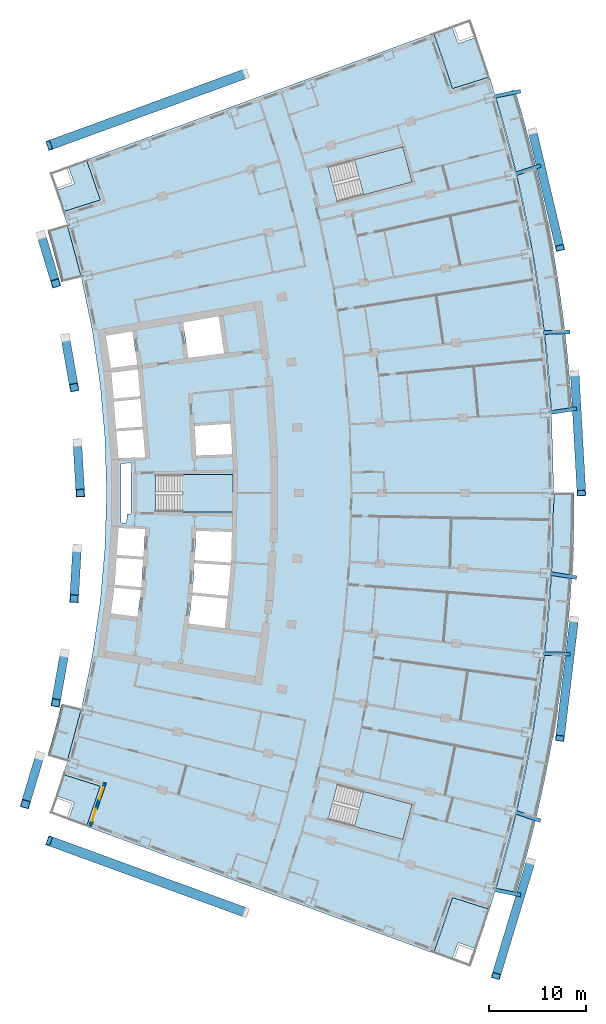
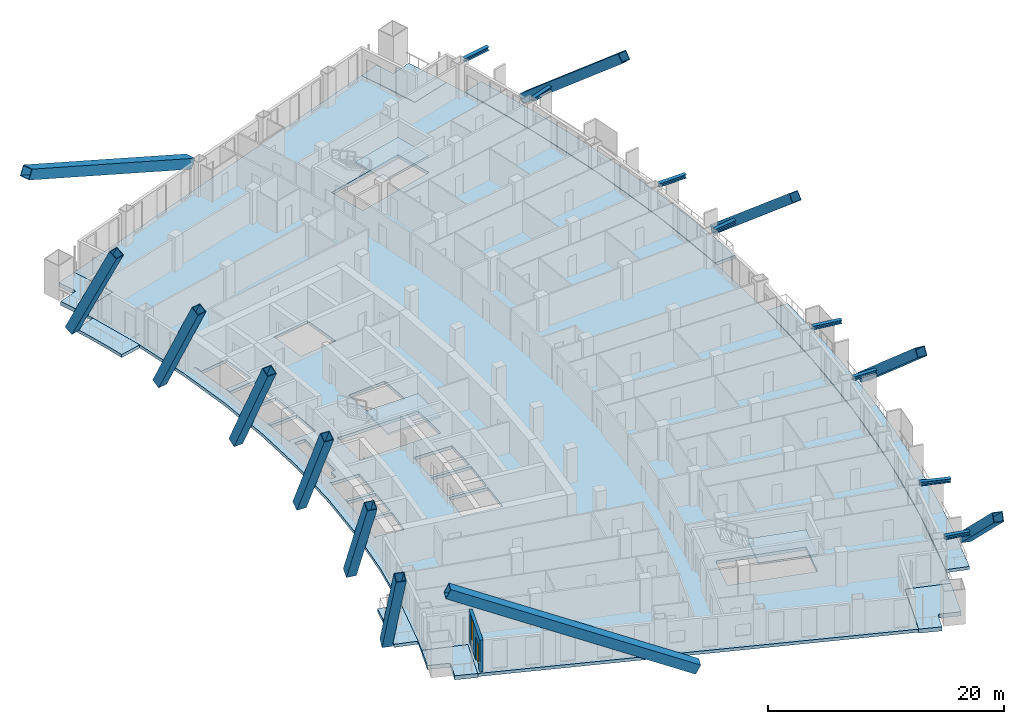
# One storey, part 12 of 25: 20 members, 12 slabs, 1 door, 1 wall, 1 window, 2 openings, 3 elements without a shape of their own.
"""IFC4 building model written with IfcOpenShell, lengths in metres."""

from ifc_helpers import new_model, si_unit, direction, frame, frame_2d, origin, origin_2d, place, context, subcontext, project, spatial, polyline, rectangle, hollow_rectangle, i_section, outline, extrude, material, layer, layer_set, material_profile, profile_set, type_object, element, fill, aggregate, save


model = new_model("IFC4")

# Units and contexts
model_context = context("Model", 3, precision=1e-05, world=origin(), true_north=direction((0.0, 1.0)))
body_context = subcontext(model_context, "Body", "Model", "MODEL_VIEW")
ifc_project = project(units=[si_unit("LENGTHUNIT", "METRE"), si_unit("AREAUNIT", "SQUARE_METRE"), si_unit("VOLUMEUNIT", "CUBIC_METRE"), si_unit("PLANEANGLEUNIT", "RADIAN"), si_unit("MASSUNIT", "GRAM", prefix="KILO")], contexts=[model_context])

# Site, building, storey
site_placement = place(None, origin())
site = spatial("IfcSite", under=ifc_project, at=site_placement, CompositionType="ELEMENT")
building_placement = place(site_placement, origin())
building = spatial("IfcBuilding", under=site, at=building_placement, Name="Alderwake Tower", CompositionType="ELEMENT")
storey_placement = place(building_placement, frame((0.0, 0.0, 93.199951171875)))
storey = spatial("IfcBuildingStorey", under=building, at=storey_placement, Name="L22", CompositionType="ELEMENT", Elevation=93.199951171875)

# Members
ifc_material_1 = material(Name="Steel ASTM A992 Grade 50", Category="steel")
ifc_material_profile_1 = material_profile(ifc_material_1, i_section(OverallWidth=0.3740234375, OverallDepth=0.372314453125, WebThickness=0.016357421875, FlangeThickness=0.026123046875, at=origin_2d()), Name="W14X132")
ifc_profile_set_1 = profile_set([ifc_material_profile_1], Name="Steel ASTM A992 Grade 50")
member_type_1 = type_object("IfcMemberType", Name="Brace node stub W14X132", PredefinedType="MEMBER", material=ifc_profile_set_1)
for number, where, z_axis, x_axis, name in (
    (1, (58.078125, 28.180419921875, 3.393798828125), (0.946087541114, -0.32391104419, 0.0), (0.32391104419, 0.946087541114, 0.0), "Brace node stub BS.FR03-C5.968"),
    (2, (55.931884765625, 20.193115234375, 3.393798828125), (0.981008968505, -0.193962377057, 0.0), (0.193962377057, 0.981008968505, 0.0), "Brace node stub BS.FR02-C5.968"),
    (3, (61.683349609375, 52.72216796875, 3.393798828125), (0.988049020095, -0.154139981475, 0.0), (0.154139981475, 0.988049020095, 0.0), "Brace node stub BS.FR06-C5.968"),
    (4, (60.960693359375, 44.483154296875, 3.393798828125), (0.999797233843, -0.020136812062, 0.0), (0.020136812062, 0.999797233843, 0.0), "Brace node stub BS.FR05-C5.968"),
    (5, (60.960693359375, 77.516845703125, 3.393798828125), (0.999797233843, 0.020136812062, 0.0), (-0.020136812062, 0.999797233843, 0.0), "Brace node stub BS.FR09-C5.968"),
    (6, (61.683349609375, 69.27783203125, 3.393798828125), (0.988049020095, 0.154139981475, 0.0), (-0.154139981475, 0.988049020095, 0.0), "Brace node stub BS.FR08-C5.968"),
    (7, (55.931884765625, 101.806884765625, 3.393798828125), (0.981008968505, 0.193962377057, 0.0), (-0.193962377057, 0.981008968505, 0.0), "Brace node stub BS.FR12-C5.968"),
    (8, (58.078125, 93.819580078125, 3.393798828125), (0.946087541114, 0.32391104419, 0.0), (-0.32391104419, 0.946087541114, 0.0), "Brace node stub BS.FR11-C5.968"),
):
    element("IfcMember", number, at=place(storey_placement, frame(where, z_axis=z_axis, x_axis=x_axis)), inside=storey, type_object=member_type_1, Name=name, PredefinedType="MEMBER", context=body_context, shape_type="SweptSolid", body=[
        extrude(i_section(OverallWidth=0.3740234375, OverallDepth=0.372314453125, WebThickness=0.016357421875, FlangeThickness=0.026123046875, at=origin_2d()), origin(), (0.0, 0.0, 1.0), 2.70361328125),
    ])
ifc_material_2 = material(Name="Steel ASTM A572 Grade 50", Category="steel")
ifc_material_profile_2 = material_profile(ifc_material_2, hollow_rectangle(XDim=1.0, YDim=1.0, WallThickness=0.06005859375, at=origin_2d()), Name="BOX 1000X1000X60")
ifc_profile_set_2 = profile_set([ifc_material_profile_2], Name="Steel ASTM A572 Grade 50")
member_type_2 = type_object("IfcMemberType", Name="Mega brace end Z2", PredefinedType="BRACE", material=ifc_profile_set_2)
for number, where, z_axis, x_axis, name in (
    (9, (30.3203125, 17.855712890625, 0.375), (-0.845444037931, 0.308606213085, 0.435874504844), (-0.342892952661, -0.939374484971, 0.0), "Brace BRS2.1.0B2"),
    (10, (30.3203125, 104.144287109375, 0.375), (-0.845444037931, -0.308606213085, 0.435874504844), (0.342892952661, -0.939374484971, 0.0), "Brace BRN2.1.0B2"),
):
    element("IfcMember", number, at=place(storey_placement, frame(where, z_axis=z_axis, x_axis=x_axis)), inside=storey, type_object=member_type_2, Name=name, PredefinedType="BRACE", context=body_context, shape_type="SweptSolid", body=[
        extrude(hollow_rectangle(XDim=1.0, YDim=1.0, WallThickness=0.06005859375, at=origin_2d()), origin(), (0.0, 0.0, 1.0), 23.91748046875),
    ])
ifc_material_3 = material(Name="Steel ASTM A572 Grade 50", Category="steel")
ifc_material_profile_3 = material_profile(ifc_material_3, hollow_rectangle(XDim=0.89990234375, YDim=0.89990234375, WallThickness=0.054931640625, at=origin_2d()), Name="BOX 900X900X55")
ifc_profile_set_3 = profile_set([ifc_material_profile_3], Name="Steel ASTM A572 Grade 50")
member_type_3 = type_object("IfcMemberType", Name="Mega brace face Z2", PredefinedType="BRACE", material=ifc_profile_set_3)
member_1_placement = place(storey_placement, frame((59.629150390625, 23.119873046875, 0.3271484375), z_axis=(-0.220739775844, -0.729078590509, 0.647856743595), x_axis=(0.957094742324, -0.289775178743, 0.0)))
element("IfcMember", 11, at=member_1_placement, inside=storey, type_object=member_type_3, Name="Brace BRF2.1.1B2", PredefinedType="BRACE", context=body_context, shape_type="SweptSolid", body=[
    extrude(hollow_rectangle(XDim=0.89990234375, YDim=0.89990234375, WallThickness=0.054931640625, at=origin_2d()), origin(), (0.0, 0.0, 1.0), 16.16552734375),
])
member_2_placement = place(storey_placement, frame((64.091796875, 48.0087890625, 0.3271484375), z_axis=(-0.090434854927, -0.756372479035, 0.647859714732), x_axis=(0.992927969225, -0.118718355491, 0.0)))
element("IfcMember", 12, at=member_2_placement, inside=storey, type_object=member_type_3, Name="Brace BRF2.1.4B2", PredefinedType="BRACE", context=body_context, shape_type="SweptSolid", body=[
    extrude(hollow_rectangle(XDim=0.89990234375, YDim=0.89990234375, WallThickness=0.054931640625, at=origin_2d()), origin(), (0.0, 0.0, 1.0), 16.165283203125),
])
member_3_placement = place(storey_placement, frame((64.15283203125, 73.294921875, 0.3271484375), z_axis=(0.042634693642, -0.760567896504, 0.647857050364), x_axis=(0.998432533492, 0.055968527443, 0.0)))
element("IfcMember", 13, at=member_3_placement, inside=storey, type_object=member_type_3, Name="Brace BRF2.1.7B2", PredefinedType="BRACE", context=body_context, shape_type="SweptSolid", body=[
    extrude(hollow_rectangle(XDim=0.89990234375, YDim=0.89990234375, WallThickness=0.054931640625, at=origin_2d()), origin(), (0.0, 0.0, 1.0), 16.16552734375),
])
member_4_placement = place(storey_placement, frame((59.810546875, 98.205322265625, 0.3271484375), z_axis=(0.174405658143, -0.741526100551, 0.647859327794), x_axis=(0.973437965394, 0.228950928214, 0.0)))
element("IfcMember", 14, at=member_4_placement, inside=storey, type_object=member_type_3, Name="Brace BRF2.1.10B2", PredefinedType="BRACE", context=body_context, shape_type="SweptSolid", body=[
    extrude(hollow_rectangle(XDim=0.89990234375, YDim=0.89990234375, WallThickness=0.054931640625, at=origin_2d()), origin(), (0.0, 0.0, 1.0), 16.165283203125),
])
for number, where, z_axis, x_axis, name in (
    (15, (9.134521484375, 33.973876953125, 0.504638671875), (-0.129340279084, -0.430823637978, 0.893119300635), (0.957769248011, -0.287537941087, 0.0), "Brace BRR2.1.1B2"),
    (16, (11.674560546875, 44.533203125, 0.504638671875), (-0.078319666764, -0.442957228334, 0.893115291362), (0.984726153271, -0.174110318661, 0.0), "Brace BRR2.1.3B2"),
    (17, (12.968017578125, 55.316162109375, 0.504638671875), (-0.026219583809, -0.449058025452, 0.893117810371), (0.998299768862, -0.058288690933, 0.0), "Brace BRR2.1.5B2"),
    (18, (12.997802734375, 66.176513671875, 0.504638671875), (0.026219583809, -0.449058025452, 0.893117810371), (0.998299768862, 0.058288690933, 0.0), "Brace BRR2.1.7B2"),
):
    element("IfcMember", number, at=place(storey_placement, frame(where, z_axis=z_axis, x_axis=x_axis)), inside=storey, type_object=member_type_3, Name=name, PredefinedType="BRACE", context=body_context, shape_type="SweptSolid", body=[
        extrude(hollow_rectangle(XDim=0.89990234375, YDim=0.89990234375, WallThickness=0.054931640625, at=origin_2d()), origin(), (0.0, 0.0, 1.0), 11.527587890625),
    ])
member_5_placement = place(storey_placement, frame((11.762939453125, 76.96630859375, 0.504638671875), z_axis=(0.078320401502, -0.442940204709, 0.893123669914), x_axis=(0.9847247259, 0.174118391335, 0.0)))
element("IfcMember", 19, at=member_5_placement, inside=storey, type_object=member_type_3, Name="Brace BRR2.1.9B2", PredefinedType="BRACE", context=body_context, shape_type="SweptSolid", body=[
    extrude(hollow_rectangle(XDim=0.89990234375, YDim=0.89990234375, WallThickness=0.054931640625, at=origin_2d()), origin(), (0.0, 0.0, 1.0), 11.52734375),
])
member_6_placement = place(storey_placement, frame((9.28076171875, 87.539306640625, 0.504638671875), z_axis=(0.129340279084, -0.430823637978, 0.893119300635), x_axis=(0.957769248011, 0.287537941087, 0.0)))
element("IfcMember", 20, at=member_6_placement, inside=storey, type_object=member_type_3, Name="Brace BRR2.1.11B2", PredefinedType="BRACE", context=body_context, shape_type="SweptSolid", body=[
    extrude(hollow_rectangle(XDim=0.89990234375, YDim=0.89990234375, WallThickness=0.054931640625, at=origin_2d()), origin(), (0.0, 0.0, 1.0), 11.527587890625),
])

# Slabs
ifc_material_4 = material(Name="Concrete C50/60", Category="concrete")
ifc_layer_1 = layer(ifc_material_4, 0.320068359375)
ifc_layer_set_1 = layer_set([ifc_layer_1], Name="Balcony slab 320")
slab_type_1 = type_object("IfcSlabType", Name="Balcony slab 320", PredefinedType="FLOOR", material=ifc_layer_set_1)
slab_1_placement = place(storey_placement, frame((0.0, 0.0, -0.320068359375)))
element("IfcSlab", 21, at=slab_1_placement, inside=storey, type_object=slab_type_1, Name="Balcony BF02", PredefinedType="FLOOR", context=body_context, shape_type="SweptSolid", body=[
    extrude(outline(polyline([(58.603515625, 21.581298828125), (59.163818359375, 23.606689453125), (59.694091796875, 25.639892578125), (60.195068359375, 27.680908203125), (60.666015625, 29.72900390625), (61.107177734375, 31.78369140625), (61.51806640625, 33.844482421875), (61.899169921875, 35.910888671875), (62.25, 37.98291015625), (62.5703125, 40.059814453125), (62.860595703125, 42.14111328125), (63.120361328125, 44.226318359375), (63.349853515625, 46.315185546875), (63.548583984375, 48.4072265625), (63.717041015625, 50.501953125), (63.85498046875, 52.598876953125), (63.962158203125, 54.697509765625), (64.038818359375, 56.797607421875), (64.084716796875, 58.898681640625), (64.10009765625, 61.0), (62.0, 61.0), (61.98486328125, 58.92919921875), (61.939697265625, 56.85888671875), (61.864013671875, 54.78955078125), (61.758544921875, 52.721435546875), (61.622802734375, 50.655029296875), (61.456787109375, 48.5908203125), (61.2607421875, 46.529296875), (61.03466796875, 44.470947265625), (60.77880859375, 42.416015625), (60.49267578125, 40.364990234375), (60.1767578125, 38.318359375), (59.831298828125, 36.276611328125), (59.455810546875, 34.239990234375), (59.05078125, 32.209228515625), (58.6162109375, 30.1845703125), (58.152099609375, 28.16650390625), (57.658447265625, 26.155517578125), (57.1357421875, 24.151611328125), (56.583740234375, 22.15576171875), (56.002685546875, 20.168212890625), (58.01416015625, 19.564208984375), (58.603515625, 21.581298828125)])), origin(), (0.0, 0.0, 1.0), 0.320068359375),
])
slab_2_placement = place(storey_placement, frame((0.0, 0.0, -0.320068359375)))
element("IfcSlab", 22, at=slab_2_placement, inside=storey, type_object=slab_type_1, Name="Balcony BF08", PredefinedType="FLOOR", context=body_context, shape_type="SweptSolid", body=[
    extrude(outline(polyline([(63.717041015625, 71.498046875), (63.548583984375, 73.5927734375), (63.349853515625, 75.684814453125), (63.120361328125, 77.773681640625), (62.860595703125, 79.85888671875), (62.5703125, 81.940185546875), (62.25, 84.01708984375), (61.899169921875, 86.089111328125), (61.51806640625, 88.155517578125), (61.107177734375, 90.21630859375), (60.666015625, 92.27099609375), (60.195068359375, 94.319091796875), (59.694091796875, 96.360107421875), (59.163818359375, 98.393310546875), (58.603515625, 100.418701171875), (58.01416015625, 102.435791015625), (56.002685546875, 101.831787109375), (56.583740234375, 99.84423828125), (57.1357421875, 97.848388671875), (57.658447265625, 95.844482421875), (58.152099609375, 93.83349609375), (58.6162109375, 91.8154296875), (59.05078125, 89.790771484375), (59.455810546875, 87.760009765625), (59.831298828125, 85.723388671875), (60.1767578125, 83.681640625), (60.49267578125, 81.635009765625), (60.77880859375, 79.583984375), (61.03466796875, 77.529052734375), (61.2607421875, 75.470703125), (61.456787109375, 73.4091796875), (61.622802734375, 71.344970703125), (61.758544921875, 69.278564453125), (63.85498046875, 69.401123046875), (63.717041015625, 71.498046875)])), origin(), (0.0, 0.0, 1.0), 0.320068359375),
])
slab_3_placement = place(storey_placement, frame((0.0, 0.0, -0.320068359375)))
element("IfcSlab", 23, at=slab_3_placement, inside=storey, type_object=slab_type_1, Name="Balcony BR02", PredefinedType="FLOOR", context=body_context, shape_type="SweptSolid", body=[
    extrude(outline(polyline([(9.93408203125, 33.999267578125), (11.945556640625, 33.395263671875), (13.3984375, 38.802734375), (11.35546875, 39.288330078125), (11.029052734375, 37.95849609375), (10.683349609375, 36.63330078125), (10.318359375, 35.3134765625), (9.93408203125, 33.999267578125)])), origin(), (0.0, 0.0, 1.0), 0.320068359375),
])
slab_4_placement = place(storey_placement, frame((0.0, 0.0, -0.320068359375)))
element("IfcSlab", 24, at=slab_4_placement, inside=storey, type_object=slab_type_1, Name="Balcony BR11", PredefinedType="FLOOR", context=body_context, shape_type="SweptSolid", body=[
    extrude(outline(polyline([(11.35546875, 82.711669921875), (13.3984375, 83.197265625), (11.945556640625, 88.604736328125), (9.93408203125, 88.000732421875), (10.318359375, 86.6865234375), (10.683349609375, 85.36669921875), (11.029052734375, 84.04150390625), (11.35546875, 82.711669921875)])), origin(), (0.0, 0.0, 1.0), 0.320068359375),
])
ifc_material_5 = material(Name="Concrete C50/60", Category="concrete")
ifc_layer_2 = layer(ifc_material_5, 0.320068359375)
ifc_layer_set_2 = layer_set([ifc_layer_2], Name="Concrete C50/60 post-tensioned flat plate 320")
slab_type_2 = type_object("IfcSlabType", Name="Concrete C50/60 post-tensioned flat plate 320", PredefinedType="FLOOR", material=ifc_layer_set_2)
slab_5_placement = place(storey_placement, frame((0.0, 0.0, -0.320068359375)))
element("IfcSlab", 25, at=slab_5_placement, inside=storey, type_object=slab_type_2, Name="Floor slab L22", PredefinedType="FLOOR", context=body_context, shape_type="SweptSolid", body=[
    extrude(outline(polyline([(11.533203125, 32.057373046875), (11.945556640625, 33.395263671875), (13.3984375, 38.802734375), (14.53369140625, 44.28564453125), (15.347412109375, 49.825439453125), (15.836669921875, 55.4033203125), (16.0, 61.0), (15.836669921875, 66.5966796875), (15.347412109375, 72.174560546875), (14.53369140625, 77.71435546875), (13.3984375, 83.197265625), (11.945556640625, 88.604736328125), (11.533203125, 89.942626953125), (15.34716796875, 91.1484375), (13.937255859375, 95.289794921875), (49.63330078125, 108.31982421875), (51.5791015625, 102.60498046875), (55.392822265625, 103.810791015625), (56.002685546875, 101.831787109375), (58.152099609375, 93.83349609375), (59.831298828125, 85.723388671875), (61.03466796875, 77.529052734375), (61.758544921875, 69.278564453125), (62.0, 61.0), (61.758544921875, 52.721435546875), (61.03466796875, 44.470947265625), (59.831298828125, 36.276611328125), (58.152099609375, 28.16650390625), (56.002685546875, 20.168212890625), (55.392822265625, 18.189208984375), (51.5791015625, 19.39501953125), (49.63330078125, 13.68017578125), (13.937255859375, 26.710205078125), (15.34716796875, 30.8515625), (11.533203125, 32.057373046875)]), holes=[polyline([(16.84375, 51.279541015625), (16.8583984375, 51.4287109375), (16.873291015625, 51.577880859375), (19.574951171875, 51.31103515625), (19.76611328125, 54.161376953125), (17.0537109375, 54.34326171875), (17.06396484375, 54.492919921875), (17.073974609375, 54.642578125), (19.7861328125, 54.460693359375), (19.977294921875, 57.31103515625), (17.263916015625, 57.406982421875), (17.269287109375, 57.556884765625), (17.2392578125, 57.55810546875), (17.033935546875, 54.494873046875), (16.82861328125, 51.431640625), (16.82861328125, 51.431640625), (16.41015625, 48.39013671875), (16.43994140625, 48.38623046875), (16.472412109375, 48.63427734375), (19.18017578125, 48.280029296875), (19.545166015625, 51.012451171875), (16.84375, 51.279541015625)]), polyline([(29.0, 62.875), (21.050048828125, 62.875), (21.050048828125, 59.125), (29.0, 59.125), (29.0, 62.875)]), polyline([(19.738525390625, 67.5361328125), (17.02587890625, 67.354248046875), (17.015869140625, 67.50390625), (17.005859375, 67.653564453125), (19.7138671875, 67.835205078125), (19.47802734375, 70.679443359375), (16.777099609375, 70.41259765625), (16.76220703125, 70.561767578125), (16.74755859375, 70.7109375), (19.453125, 70.978515625), (19.2255859375, 73.725830078125), (16.541015625, 73.374755859375), (16.508544921875, 73.62255859375), (16.47607421875, 73.87060546875), (19.16796875, 74.22265625), (18.656982421875, 77.6376953125), (18.90283203125, 77.674560546875), (18.900146484375, 77.690673828125), (15.96826171875, 77.183837890625), (15.836669921875, 77.94482421875), (15.58544921875, 77.900390625), (15.586181640625, 77.896484375), (15.8154296875, 77.931884765625), (16.478515625, 73.61865234375), (16.47900390625, 73.61376953125), (16.732421875, 70.558837890625), (16.98583984375, 67.501953125), (17.239501953125, 64.4443359375), (17.239501953125, 64.44189453125), (17.269287109375, 64.443115234375), (17.263916015625, 64.593017578125), (19.974609375, 64.68896484375), (19.738525390625, 67.5361328125)]), polyline([(47.436279296875, 28.996826171875), (39.754150390625, 31.043212890625), (38.7890625, 27.41943359375), (46.47119140625, 25.373291015625), (47.436279296875, 28.996826171875)]), polyline([(24.82470703125, 50.49072265625), (24.8291015625, 50.534423828125), (24.825439453125, 50.534912109375), (24.43212890625, 47.59326171875), (28.160888671875, 47.10546875), (28.45361328125, 50.132080078125), (24.82470703125, 50.49072265625)]), polyline([(25.031005859375, 53.808349609375), (24.84521484375, 50.735595703125), (24.848876953125, 50.7353515625), (24.854248046875, 50.789306640625), (28.482666015625, 50.430908203125), (28.784912109375, 53.556640625), (25.031005859375, 53.808349609375)]), polyline([(28.887451171875, 56.99560546875), (25.2314453125, 57.125), (25.049072265625, 54.10791015625), (28.809326171875, 53.855712890625), (28.8076171875, 53.83154296875), (28.811279296875, 53.831298828125), (28.8193359375, 53.912353515625), (28.887451171875, 56.99560546875)]), polyline([(28.923828125, 65.005615234375), (28.7392578125, 68.1396484375), (25.05126953125, 67.892333984375), (25.232177734375, 64.875), (28.923828125, 65.005615234375)]), polyline([(28.09619140625, 75.390380859375), (27.523193359375, 79.181396484375), (23.877685546875, 78.551025390625), (24.427001953125, 74.915283203125), (24.368896484375, 74.90673828125), (24.36962890625, 74.90283203125), (28.09619140625, 75.390380859375)]), polyline([(46.47119140625, 96.626708984375), (38.7890625, 94.58056640625), (39.754150390625, 90.956787109375), (47.436279296875, 93.003173828125), (46.47119140625, 96.626708984375)]), polyline([(17.489501953125, 64.050537109375), (17.4892578125, 57.949462890625), (18.065673828125, 57.928955078125), (18.090576171875, 58.84326171875), (18.544189453125, 58.8310546875), (18.529296875, 58.8681640625), (18.5234375, 58.89208984375), (18.5185546875, 58.94091796875), (18.5185546875, 63.060302734375), (18.5234375, 63.109130859375), (18.53759765625, 63.156005859375), (18.560791015625, 63.19921875), (18.588623046875, 63.233642578125), (18.565185546875, 64.088623046875), (17.489501953125, 64.050537109375)])]), origin(), (0.0, 0.0, 1.0), 0.320068359375),
])

# Stair, slab
ifc_material_6 = material(Name="Concrete C40/50", Category="concrete")
stair_type = type_object("IfcStairType", Name="Core exit stair", PredefinedType="HALF_TURN_STAIR", material=ifc_material_6)
stair_1_placement = place(storey_placement, origin())
stair_1 = element("IfcStair", 26, at=stair_1_placement, inside=storey, type_object=stair_type, Name="L22 Exit Stair B", PredefinedType="HALF_TURN_STAIR")
ifc_material_7 = material(Name="Concrete C40/50", Category="concrete")
ifc_layer_3 = layer(ifc_material_7, 0.199951171875)
ifc_layer_set_3 = layer_set([ifc_layer_3], Name="Core stair landing 200")
slab_type_3 = type_object("IfcSlabType", Name="Core stair landing 200", PredefinedType="LANDING", material=ifc_layer_set_3)
slab_6_placement = place(storey_placement, frame((0.0, 0.0, 1.60009765625)))
slab_6 = element("IfcSlab", 27, at=slab_6_placement, type_object=slab_type_3, Name="ST-B landing 1", PredefinedType="LANDING", context=body_context, shape_type="SweptSolid", body=[
    extrude(outline(polyline([(23.830078125, 59.074951171875), (29.0, 59.074951171875), (29.0, 62.925048828125), (23.830078125, 62.925048828125), (23.830078125, 59.074951171875)])), origin(), (0.0, 0.0, 1.0), 0.199951171875),
])
aggregate(stair_1, [slab_6])

stair_2_placement = place(storey_placement, origin())
stair_2 = element("IfcStair", 28, at=stair_2_placement, inside=storey, type_object=stair_type, Name="L22 Exit Stair A", PredefinedType="HALF_TURN_STAIR")
slab_7_placement = place(storey_placement, frame((0.0, 0.0, 1.60009765625)))
slab_7 = element("IfcSlab", 29, at=slab_7_placement, type_object=slab_type_3, Name="ST-A landing 1", PredefinedType="LANDING", context=body_context, shape_type="SweptSolid", body=[
    extrude(outline(polyline([(42.440673828125, 91.67236328125), (47.436279296875, 93.003173828125), (46.47119140625, 96.626708984375), (41.475341796875, 95.296142578125), (42.440673828125, 91.67236328125)])), origin(), (0.0, 0.0, 1.0), 0.199951171875),
])
aggregate(stair_2, [slab_7])

stair_3_placement = place(storey_placement, origin())
stair_3 = element("IfcStair", 30, at=stair_3_placement, inside=storey, type_object=stair_type, Name="L22 Exit Stair C", PredefinedType="HALF_TURN_STAIR")
slab_8_placement = place(storey_placement, frame((0.0, 0.0, 1.60009765625)))
slab_8 = element("IfcSlab", 31, at=slab_8_placement, type_object=slab_type_3, Name="ST-C landing 1", PredefinedType="LANDING", context=body_context, shape_type="SweptSolid", body=[
    extrude(outline(polyline([(41.475341796875, 26.703857421875), (46.47119140625, 25.373291015625), (47.436279296875, 28.996826171875), (42.4404296875, 30.32763671875), (41.475341796875, 26.703857421875)])), origin(), (0.0, 0.0, 1.0), 0.199951171875),
])
aggregate(stair_3, [slab_8])

# Slabs
ifc_material_8 = material(Name="Concrete C50/60", Category="concrete")
ifc_layer_4 = layer(ifc_material_8, 0.419921875)
ifc_layer_set_4 = layer_set([ifc_layer_4], Name="Terrace slab 420")
slab_type_4 = type_object("IfcSlabType", Name="Terrace slab 420", PredefinedType="FLOOR", material=ifc_layer_set_4)
slab_9_placement = place(storey_placement, frame((0.0, 0.0, -0.419921875)))
element("IfcSlab", 32, at=slab_9_placement, inside=storey, type_object=slab_type_4, Name="Corner terrace FS", PredefinedType="FLOOR", context=body_context, shape_type="SweptSolid", body=[
    extrude(outline(polyline([(54.0869140625, 14.2587890625), (54.03076171875, 14.1015625), (52.293212890625, 14.723388671875), (52.279296875, 14.7275390625), (52.2646484375, 14.73046875), (52.25, 14.73193359375), (52.2353515625, 14.73193359375), (52.220703125, 14.73046875), (52.206298828125, 14.7275390625), (52.192138671875, 14.723388671875), (52.1787109375, 14.7177734375), (52.16552734375, 14.710693359375), (52.1533203125, 14.70263671875), (52.14208984375, 14.693115234375), (52.131591796875, 14.682861328125), (52.122314453125, 14.67138671875), (52.114013671875, 14.6591796875), (52.107177734375, 14.646240234375), (52.1015625, 14.632568359375), (51.52880859375, 13.031982421875), (51.5244140625, 13.017822265625), (51.521484375, 13.00341796875), (51.5205078125, 12.9912109375), (49.63330078125, 13.68017578125), (50.309814453125, 15.57568359375), (50.958251953125, 17.480712890625), (51.5791015625, 19.39501953125), (55.392822265625, 18.189208984375), (54.754150390625, 16.21923828125), (54.0869140625, 14.2587890625)])), origin(), (0.0, 0.0, 1.0), 0.419921875),
])
slab_10_placement = place(storey_placement, frame((0.0, 0.0, -0.419921875)))
element("IfcSlab", 33, at=slab_10_placement, inside=storey, type_object=slab_type_4, Name="Corner terrace RS", PredefinedType="FLOOR", context=body_context, shape_type="SweptSolid", body=[
    extrude(outline(polyline([(13.937255859375, 26.710205078125), (12.04931640625, 27.3994140625), (12.0537109375, 27.40380859375), (12.06298828125, 27.4150390625), (12.071044921875, 27.427490234375), (12.077880859375, 27.4404296875), (12.08349609375, 27.4541015625), (12.651611328125, 29.056396484375), (12.65576171875, 29.0703125), (12.65869140625, 29.084716796875), (12.66015625, 29.099609375), (12.659912109375, 29.1142578125), (12.658447265625, 29.12890625), (12.655517578125, 29.143310546875), (12.6513671875, 29.157470703125), (12.6455078125, 29.1708984375), (12.638671875, 29.183837890625), (12.63037109375, 29.196044921875), (12.62109375, 29.20751953125), (12.610595703125, 29.218017578125), (12.59912109375, 29.227294921875), (12.5869140625, 29.2353515625), (12.573974609375, 29.2421875), (12.560302734375, 29.247802734375), (10.8095703125, 29.868408203125), (11.101318359375, 30.7255859375), (11.533203125, 32.057373046875), (15.34716796875, 30.8515625), (13.937255859375, 26.710205078125)])), origin(), (0.0, 0.0, 1.0), 0.419921875),
])
slab_11_placement = place(storey_placement, frame((0.0, 0.0, -0.419921875)))
element("IfcSlab", 34, at=slab_11_placement, inside=storey, type_object=slab_type_4, Name="Corner terrace FN", PredefinedType="FLOOR", context=body_context, shape_type="SweptSolid", body=[
    extrude(outline(polyline([(54.0869140625, 107.7412109375), (54.754150390625, 105.78076171875), (55.392822265625, 103.810791015625), (51.5791015625, 102.60498046875), (50.958251953125, 104.519287109375), (50.309814453125, 106.42431640625), (49.63330078125, 108.31982421875), (51.5205078125, 109.0087890625), (51.521484375, 108.99658203125), (51.5244140625, 108.982177734375), (51.52880859375, 108.968017578125), (52.1015625, 107.367431640625), (52.107177734375, 107.353759765625), (52.114013671875, 107.3408203125), (52.122314453125, 107.32861328125), (52.131591796875, 107.317138671875), (52.14208984375, 107.306884765625), (52.1533203125, 107.29736328125), (52.16552734375, 107.289306640625), (52.1787109375, 107.2822265625), (52.192138671875, 107.276611328125), (52.206298828125, 107.2724609375), (52.220703125, 107.26953125), (52.2353515625, 107.26806640625), (52.25, 107.26806640625), (52.2646484375, 107.26953125), (52.279296875, 107.2724609375), (52.293212890625, 107.276611328125), (54.03076171875, 107.8984375), (54.0869140625, 107.7412109375)])), origin(), (0.0, 0.0, 1.0), 0.419921875),
])
slab_12_placement = place(storey_placement, frame((0.0, 0.0, -0.419921875)))
element("IfcSlab", 35, at=slab_12_placement, inside=storey, type_object=slab_type_4, Name="Corner terrace RN", PredefinedType="FLOOR", context=body_context, shape_type="SweptSolid", body=[
    extrude(outline(polyline([(10.8095703125, 92.131591796875), (12.560302734375, 92.752197265625), (12.573974609375, 92.7578125), (12.5869140625, 92.7646484375), (12.59912109375, 92.772705078125), (12.610595703125, 92.781982421875), (12.62109375, 92.79248046875), (12.63037109375, 92.803955078125), (12.638671875, 92.816162109375), (12.6455078125, 92.8291015625), (12.6513671875, 92.842529296875), (12.655517578125, 92.856689453125), (12.658447265625, 92.87109375), (12.659912109375, 92.8857421875), (12.66015625, 92.900390625), (12.65869140625, 92.915283203125), (12.65576171875, 92.9296875), (12.651611328125, 92.943603515625), (12.08349609375, 94.5458984375), (12.077880859375, 94.5595703125), (12.071044921875, 94.572509765625), (12.06298828125, 94.5849609375), (12.0537109375, 94.59619140625), (12.04931640625, 94.6005859375), (13.937255859375, 95.289794921875), (15.34716796875, 91.1484375), (11.533203125, 89.942626953125), (11.101318359375, 91.2744140625), (10.8095703125, 92.131591796875)])), origin(), (0.0, 0.0, 1.0), 0.419921875),
])

# Wall, openings, door, window
ifc_material_9 = material(Name="Bronze metal cladding on lightweight framing")
ifc_layer_5 = layer(ifc_material_9, 0.300048828125)
ifc_layer_set_5 = layer_set([ifc_layer_5], Name="External wall EW2 bronze metal cladding")
wall_type = type_object("IfcWallType", Name="External wall EW2 bronze metal cladding", PredefinedType="SOLIDWALL", material=ifc_layer_set_5)
wall_placement = place(storey_placement, frame((15.83740234375, 31.220703125, 0.0), z_axis=(0.0, 0.0, 1.0), x_axis=(-0.32041006121, -0.947278941324, 0.0)))
wall = element("IfcWall", 36, at=wall_placement, inside=storey, type_object=wall_type, Name="External wall 3", PredefinedType="SOLIDWALL", context=body_context, shape_type="SweptSolid", body=[
    extrude(rectangle(XDim=4.68994140625, YDim=0.300048828125, at=frame_2d((2.344970703125, 0.0))), origin(), (0.0, 0.0, 1.0), 3.280029296875),
])
opening_1_placement = place(wall_placement, frame((0.5224609375, 0.0, 0.199951171875)))
opening_1 = element("IfcOpeningElement", 37, at=opening_1_placement, cuts=wall, Name="Opening W1", PredefinedType="OPENING", context=body_context, shape_type="SweptSolid", body=[
    extrude(rectangle(XDim=1.300048828125, YDim=2.89990234375, at=frame_2d((0.64990234375, 1.449951171875))), frame((0.0, 0.159912109375, 0.0), z_axis=(0.0, -1.0, 0.0), x_axis=(1.0, 0.0, 0.0)), (0.0, 0.0, 1.0), 0.320068359375),
])
opening_2_placement = place(wall_placement, frame((2.867431640625, 0.0, 0.0)))
opening_2 = element("IfcOpeningElement", 38, at=opening_2_placement, cuts=wall, Name="Opening D01", PredefinedType="OPENING", context=body_context, shape_type="SweptSolid", body=[
    extrude(rectangle(XDim=1.300048828125, YDim=2.39990234375, at=frame_2d((0.64990234375, 1.199951171875))), frame((0.0, 0.159912109375, 0.0), z_axis=(0.0, -1.0, 0.0), x_axis=(1.0, 0.0, 0.0)), (0.0, 0.0, 1.0), 0.320068359375),
])
ifc_material_10 = material(Name="Bronze tinted glass in aluminium frame", Category="aluminium")
door_type = type_object("IfcDoorType", Name="Balcony door BD sliding", OperationType="SLIDING_TO_LEFT", PredefinedType="DOOR", material=ifc_material_10)
door_placement = place(opening_2_placement, origin())
door = element("IfcDoor", 39, at=door_placement, inside=storey, type_object=door_type, Name="Door D01", OperationType="SLIDING_TO_LEFT", OverallHeight=2.39990234375, OverallWidth=1.300048828125, PredefinedType="DOOR", context=body_context, shape_type="SweptSolid", body=[
    extrude(rectangle(XDim=1.300048828125, YDim=2.39990234375, at=frame_2d((0.64990234375, 1.199951171875))), frame((0.0, 0.02490234375, 0.0), z_axis=(0.0, -1.0, 0.0), x_axis=(1.0, 0.0, 0.0)), (0.0, 0.0, 1.0), 0.050048828125),
])
fill(opening_2, door)
ifc_material_11 = material(Name="Bronze tinted glass in aluminium frame", Category="aluminium")
window_type = type_object("IfcWindowType", Name="Window W1 tall fixed and vent", PartitioningType="DOUBLE_PANEL_VERTICAL", PredefinedType="WINDOW", material=ifc_material_11)
window_placement = place(opening_1_placement, origin())
window = element("IfcWindow", 40, at=window_placement, inside=storey, type_object=window_type, Name="Window W1 tall fixed and vent", OverallHeight=2.89990234375, OverallWidth=1.300048828125, PartitioningType="DOUBLE_PANEL_VERTICAL", PredefinedType="WINDOW", context=body_context, shape_type="SweptSolid", body=[
    extrude(rectangle(XDim=1.300048828125, YDim=2.89990234375, at=frame_2d((0.64990234375, 1.449951171875))), frame((0.0, 0.030029296875, 0.0), z_axis=(0.0, -1.0, 0.0), x_axis=(1.0, 0.0, 0.0)), (0.0, 0.0, 1.0), 0.06005859375),
])
fill(opening_1, window)

save(model, "model.ifc")
